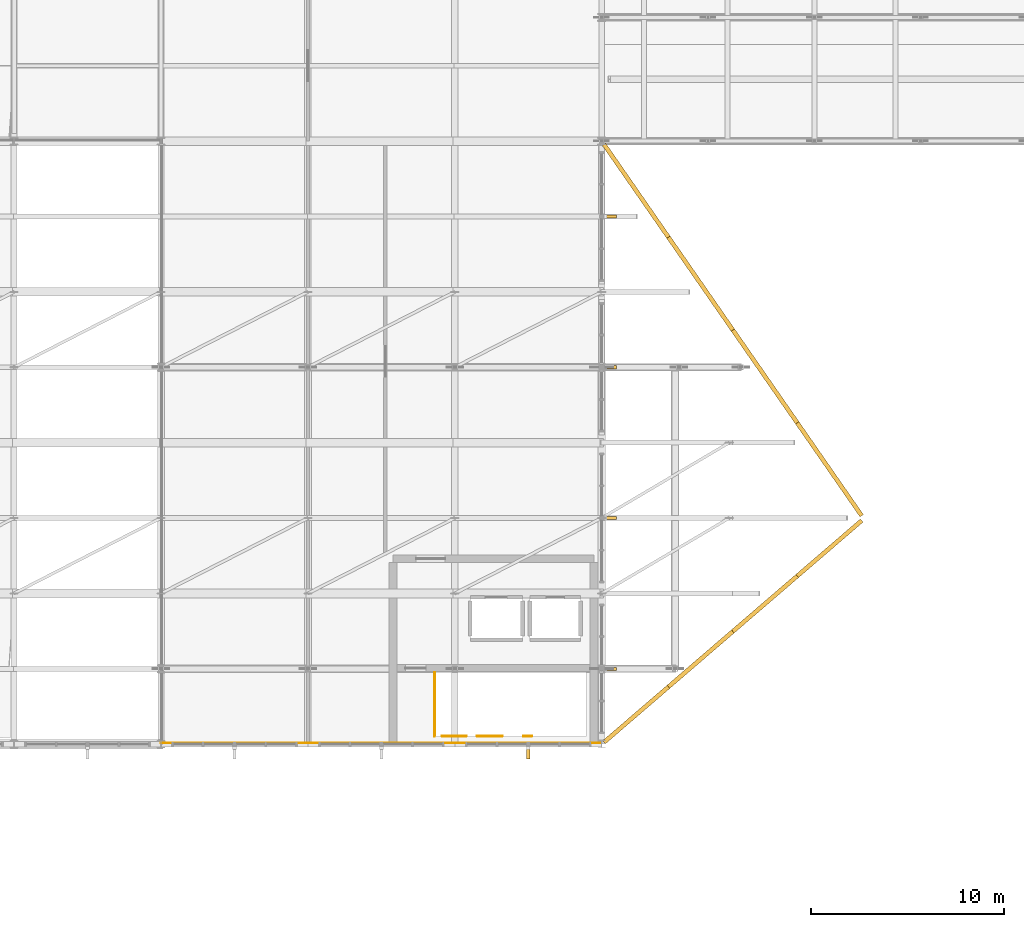
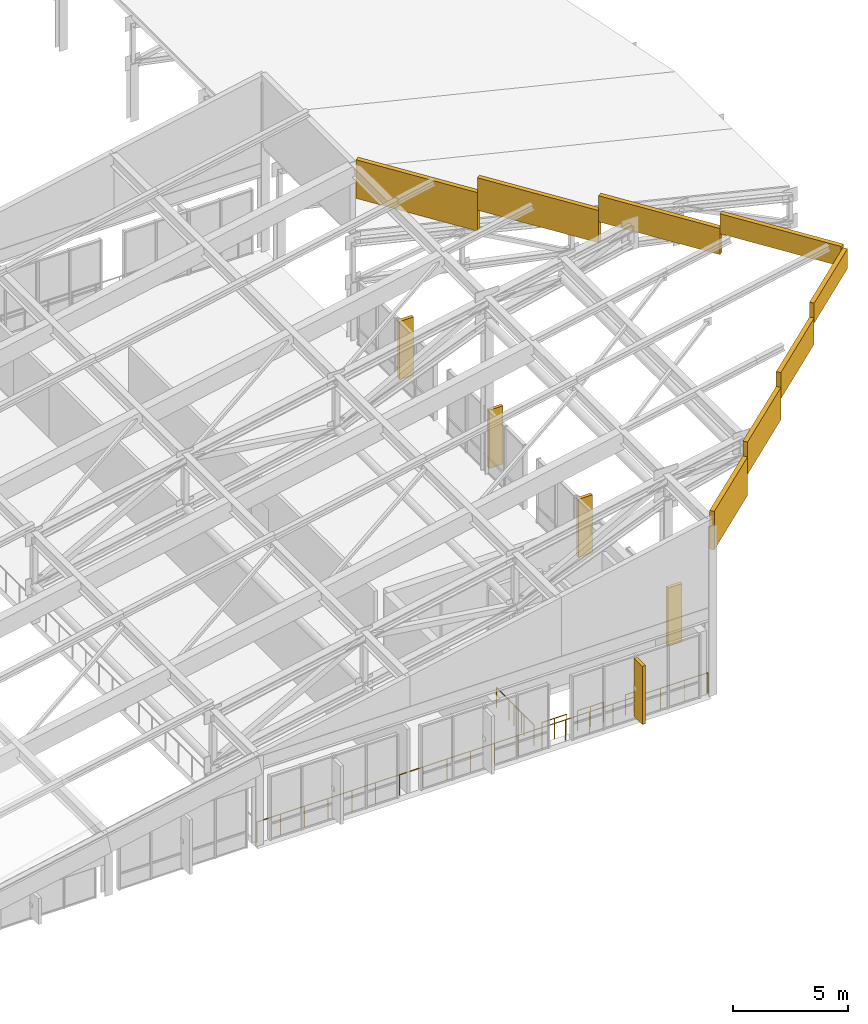
# One storey, part 72 of 73: 8 coverings, 6 railings, 5 shading devices.
"""IFC4 building model written with IfcOpenShell, lengths in metres."""

from ifc_helpers import new_model, si_unit, direction, frame, origin, origin_2d, place, context, subcontext, project, spatial, polyline, rectangle, circle, outline, extrude, material, layer, layer_set, type_object, element, save


model = new_model("IFC4")

# Units and contexts
model_context = context("Model", 3, precision=1e-05, world=origin(), true_north=direction((0.0, 1.0)))
body_context = subcontext(model_context, "Body", "Model", "MODEL_VIEW")
ifc_project = project(units=[si_unit("LENGTHUNIT", "METRE"), si_unit("AREAUNIT", "SQUARE_METRE"), si_unit("VOLUMEUNIT", "CUBIC_METRE"), si_unit("PLANEANGLEUNIT", "RADIAN"), si_unit("MASSUNIT", "GRAM", prefix="KILO")], contexts=[model_context])

# Site, building, storey
site_placement = place(None, origin())
site = spatial("IfcSite", under=ifc_project, at=site_placement, CompositionType="ELEMENT")
building_placement = place(site_placement, origin())
building = spatial("IfcBuilding", under=site, at=building_placement, Name="Vervanel Yard Central Library", CompositionType="ELEMENT")
storey_placement = place(building_placement, frame((0.0, 0.0, 12.780029296875)))
storey = spatial("IfcBuildingStorey", under=building, at=storey_placement, Name="L03", CompositionType="ELEMENT", Elevation=12.780029296875)

# Coverings
ifc_material_1 = material(Name="Precast concrete C45/55", Category="concrete")
ifc_layer = layer(ifc_material_1, 0.0849609375, Category="concrete")
ifc_layer_set = layer_set([ifc_layer], Name="Precast concrete C45/55")
covering_type = type_object("IfcCoveringType", Name="Bush-Hammered Precast Architectural Cladding Panel", PredefinedType="CLADDING", material=ifc_layer_set)
covering_1_placement = place(storey_placement, frame((0.0, 0.0, 7.545166015625)))
element("IfcCovering", 1, at=covering_1_placement, inside=storey, type_object=covering_type, Name="L03 Prow Tapered Edge Fascia Cladding S-1", PredefinedType="CLADDING", context=body_context, shape_type="SweptSolid", body=[
    extrude(outline(polyline([(146.191650390625, 43.216552734375), (149.524169921875, 46.083984375), (149.380859375, 46.2509765625), (146.04833984375, 43.38330078125), (146.191650390625, 43.216552734375)])), origin(), (0.0, 0.0, 1.0), 2.050048828125),
])
covering_2_placement = place(storey_placement, frame((0.0, 0.0, 8.6640625)))
element("IfcCovering", 2, at=covering_2_placement, inside=storey, type_object=covering_type, Name="L03 Prow Tapered Edge Fascia Cladding S-2", PredefinedType="CLADDING", context=body_context, shape_type="SweptSolid", body=[
    extrude(outline(polyline([(149.524169921875, 46.083984375), (152.856689453125, 48.95166015625), (152.71337890625, 49.118408203125), (149.380859375, 46.2509765625), (149.524169921875, 46.083984375)])), origin(), (0.0, 0.0, 1.0), 1.71923828125),
])
covering_3_placement = place(storey_placement, frame((0.0, 0.0, 9.782470703125)))
element("IfcCovering", 3, at=covering_3_placement, inside=storey, type_object=covering_type, Name="L03 Prow Tapered Edge Fascia Cladding S-3", PredefinedType="CLADDING", context=body_context, shape_type="SweptSolid", body=[
    extrude(outline(polyline([(152.856689453125, 48.95166015625), (156.189208984375, 51.819091796875), (156.0458984375, 51.98583984375), (152.71337890625, 49.118408203125), (152.856689453125, 48.95166015625)])), origin(), (0.0, 0.0, 1.0), 1.388916015625),
])
covering_4_placement = place(storey_placement, frame((0.0, 0.0, 10.9013671875)))
element("IfcCovering", 4, at=covering_4_placement, inside=storey, type_object=covering_type, Name="L03 Prow Tapered Edge Fascia Cladding S-4", PredefinedType="CLADDING", context=body_context, shape_type="SweptSolid", body=[
    extrude(outline(polyline([(156.189208984375, 51.819091796875), (159.521728515625, 54.6865234375), (159.37841796875, 54.853515625), (156.0458984375, 51.98583984375), (156.189208984375, 51.819091796875)])), origin(), (0.0, 0.0, 1.0), 1.05810546875),
])
covering_5_placement = place(storey_placement, frame((0.0, 0.0, 7.545166015625)))
element("IfcCovering", 5, at=covering_5_placement, inside=storey, type_object=covering_type, Name="L03 Prow Tapered Edge Fascia Cladding N-1", PredefinedType="CLADDING", context=body_context, shape_type="SweptSolid", body=[
    extrude(outline(polyline([(146.029541015625, 74.167236328125), (149.362060546875, 69.36474609375), (149.54296875, 69.490234375), (146.21044921875, 74.292724609375), (146.029541015625, 74.167236328125)])), origin(), (0.0, 0.0, 1.0), 2.050048828125),
])
covering_6_placement = place(storey_placement, frame((0.0, 0.0, 8.6640625)))
element("IfcCovering", 6, at=covering_6_placement, inside=storey, type_object=covering_type, Name="L03 Prow Tapered Edge Fascia Cladding N-2", PredefinedType="CLADDING", context=body_context, shape_type="SweptSolid", body=[
    extrude(outline(polyline([(149.362060546875, 69.36474609375), (152.694580078125, 64.562255859375), (152.87548828125, 64.687744140625), (149.54296875, 69.490234375), (149.362060546875, 69.36474609375)])), origin(), (0.0, 0.0, 1.0), 1.71923828125),
])
covering_7_placement = place(storey_placement, frame((0.0, 0.0, 9.782470703125)))
element("IfcCovering", 7, at=covering_7_placement, inside=storey, type_object=covering_type, Name="L03 Prow Tapered Edge Fascia Cladding N-3", PredefinedType="CLADDING", context=body_context, shape_type="SweptSolid", body=[
    extrude(outline(polyline([(152.694580078125, 64.562255859375), (156.027099609375, 59.759765625), (156.2080078125, 59.88525390625), (152.87548828125, 64.687744140625), (152.694580078125, 64.562255859375)])), origin(), (0.0, 0.0, 1.0), 1.388916015625),
])
covering_8_placement = place(storey_placement, frame((0.0, 0.0, 10.9013671875)))
element("IfcCovering", 8, at=covering_8_placement, inside=storey, type_object=covering_type, Name="L03 Prow Tapered Edge Fascia Cladding N-4", PredefinedType="CLADDING", context=body_context, shape_type="SweptSolid", body=[
    extrude(outline(polyline([(156.027099609375, 59.759765625), (159.359619140625, 54.957275390625), (159.540283203125, 55.082763671875), (156.2080078125, 59.88525390625), (156.027099609375, 59.759765625)])), origin(), (0.0, 0.0, 1.0), 1.05810546875),
])

# Railings
ifc_material_2 = material(Name="Brushed stainless steel AISI 316", Category="steel")
railing_type_1 = type_object("IfcRailingType", Name="Glazed Atrium & Gallery Balustrade 1120", PredefinedType="BALUSTRADE", material=ifc_material_2)
railing_1_placement = place(storey_placement, frame((123.199951171875, 43.260009765625, 0.0)))
element("IfcRailing", 9, at=railing_1_placement, inside=storey, type_object=railing_type_1, Name="L03 Perimeter Gap Guard V3-L03-S-GAP1", PredefinedType="BALUSTRADE", context=body_context, shape_type="SweptSolid", body=[
    extrude(circle(Radius=0.02392578125, at=origin_2d()), frame((0.0, 0.0, 1.09619140625), z_axis=(1.0, 0.0, 0.0), x_axis=(0.0, 1.0, 0.0)), (0.0, 0.0, 1.0), 22.699951171875),
    extrude(circle(Radius=0.02099609375, at=origin_2d()), origin(), (0.0, 0.0, 1.0), 1.072021484375),
    extrude(circle(Radius=0.02099609375, at=origin_2d()), frame((1.19482421875, 0.0, 0.0)), (0.0, 0.0, 1.0), 1.072021484375),
    extrude(circle(Radius=0.02099609375, at=origin_2d()), frame((2.389404296875, 0.0, 0.0)), (0.0, 0.0, 1.0), 1.072021484375),
    extrude(circle(Radius=0.02099609375, at=origin_2d()), frame((3.584228515625, 0.0, 0.0)), (0.0, 0.0, 1.0), 1.072021484375),
    extrude(circle(Radius=0.02099609375, at=origin_2d()), frame((4.779052734375, 0.0, 0.0)), (0.0, 0.0, 1.0), 1.072021484375),
    extrude(circle(Radius=0.02099609375, at=origin_2d()), frame((5.9736328125, 0.0, 0.0)), (0.0, 0.0, 1.0), 1.072021484375),
    extrude(circle(Radius=0.02099609375, at=origin_2d()), frame((7.16845703125, 0.0, 0.0)), (0.0, 0.0, 1.0), 1.072021484375),
    extrude(circle(Radius=0.02099609375, at=origin_2d()), frame((8.363037109375, 0.0, 0.0)), (0.0, 0.0, 1.0), 1.072021484375),
    extrude(circle(Radius=0.02099609375, at=origin_2d()), frame((9.557861328125, 0.0, 0.0)), (0.0, 0.0, 1.0), 1.072021484375),
    extrude(circle(Radius=0.02099609375, at=origin_2d()), frame((10.752685546875, 0.0, 0.0)), (0.0, 0.0, 1.0), 1.072021484375),
    extrude(circle(Radius=0.02099609375, at=origin_2d()), frame((11.947265625, 0.0, 0.0)), (0.0, 0.0, 1.0), 1.072021484375),
    extrude(circle(Radius=0.02099609375, at=origin_2d()), frame((13.14208984375, 0.0, 0.0)), (0.0, 0.0, 1.0), 1.072021484375),
    extrude(circle(Radius=0.02099609375, at=origin_2d()), frame((14.3369140625, 0.0, 0.0)), (0.0, 0.0, 1.0), 1.072021484375),
    extrude(circle(Radius=0.02099609375, at=origin_2d()), frame((15.531494140625, 0.0, 0.0)), (0.0, 0.0, 1.0), 1.072021484375),
    extrude(circle(Radius=0.02099609375, at=origin_2d()), frame((16.726318359375, 0.0, 0.0)), (0.0, 0.0, 1.0), 1.072021484375),
    extrude(circle(Radius=0.02099609375, at=origin_2d()), frame((17.9208984375, 0.0, 0.0)), (0.0, 0.0, 1.0), 1.072021484375),
    extrude(circle(Radius=0.02099609375, at=origin_2d()), frame((19.11572265625, 0.0, 0.0)), (0.0, 0.0, 1.0), 1.072021484375),
    extrude(circle(Radius=0.02099609375, at=origin_2d()), frame((20.310546875, 0.0, 0.0)), (0.0, 0.0, 1.0), 1.072021484375),
    extrude(circle(Radius=0.02099609375, at=origin_2d()), frame((21.505126953125, 0.0, 0.0)), (0.0, 0.0, 1.0), 1.072021484375),
    extrude(circle(Radius=0.02099609375, at=origin_2d()), frame((22.699951171875, 0.0, 0.0)), (0.0, 0.0, 1.0), 1.072021484375),
])
ifc_material_3 = material(Name="Galvanized painted steelwork ASTM A500 Grade C", Category="steel")
railing_type_2 = type_object("IfcRailingType", Name="Painted Steel Guardrail 1100", PredefinedType="GUARDRAIL", material=ifc_material_3)
railing_2_placement = place(storey_placement, frame((137.35009765625, 43.60009765625, 0.0)))
element("IfcRailing", 10, at=railing_2_placement, inside=storey, type_object=railing_type_2, Name="L03 ST-05 top well guard 1", PredefinedType="GUARDRAIL", context=body_context, shape_type="SweptSolid", body=[
    extrude(circle(Radius=0.02392578125, at=origin_2d()), frame((0.0, 0.0, 1.076171875), z_axis=(0.0, 1.0, 0.0), x_axis=(-1.0, 0.0, 0.0)), (0.0, 0.0, 1.0), 1.760009765625),
    extrude(circle(Radius=0.02099609375, at=origin_2d()), origin(), (0.0, 0.0, 1.0), 1.052001953125),
    extrude(circle(Radius=0.02099609375, at=origin_2d()), frame((0.0, 0.8798828125, 0.0)), (0.0, 0.0, 1.0), 1.052001953125),
    extrude(circle(Radius=0.02099609375, at=origin_2d()), frame((0.0, 1.760009765625, 0.0)), (0.0, 0.0, 1.0), 1.052001953125),
])
railing_3_placement = place(storey_placement, frame((137.360107421875, 43.64990234375, 0.0)))
element("IfcRailing", 11, at=railing_3_placement, inside=storey, type_object=railing_type_2, Name="L03 CORE-E Top Stair Well Guard", PredefinedType="GUARDRAIL", context=body_context, shape_type="SweptSolid", body=[
    extrude(circle(Radius=0.02392578125, at=origin_2d()), frame((0.0, 0.0, 1.076171875), z_axis=(0.0, 1.0, 0.0), x_axis=(-1.0, 0.0, 0.0)), (0.0, 0.0, 1.0), 3.260009765625),
    extrude(circle(Radius=0.02099609375, at=origin_2d()), origin(), (0.0, 0.0, 1.0), 1.052001953125),
    extrude(circle(Radius=0.02099609375, at=origin_2d()), frame((0.0, 1.086669921875, 0.0)), (0.0, 0.0, 1.0), 1.052001953125),
    extrude(circle(Radius=0.02099609375, at=origin_2d()), frame((0.0, 2.17333984375, 0.0)), (0.0, 0.0, 1.0), 1.052001953125),
    extrude(circle(Radius=0.02099609375, at=origin_2d()), frame((0.0, 3.260009765625, 0.0)), (0.0, 0.0, 1.0), 1.052001953125),
])
railing_4_placement = place(storey_placement, frame((137.75, 43.6201171875, 0.0)))
element("IfcRailing", 12, at=railing_4_placement, inside=storey, type_object=railing_type_2, Name="L03 CORE-E Top Stair South Well Guard 1", PredefinedType="GUARDRAIL", context=body_context, shape_type="SweptSolid", body=[
    extrude(circle(Radius=0.02392578125, at=origin_2d()), frame((0.0, 0.0, 1.076171875), z_axis=(1.0, 0.0, 0.0), x_axis=(0.0, 1.0, 0.0)), (0.0, 0.0, 1.0), 1.25),
    extrude(circle(Radius=0.02099609375, at=origin_2d()), origin(), (0.0, 0.0, 1.0), 1.052001953125),
    extrude(circle(Radius=0.02099609375, at=origin_2d()), frame((0.625, 0.0, 0.0)), (0.0, 0.0, 1.0), 1.052001953125),
    extrude(circle(Radius=0.02099609375, at=origin_2d()), frame((1.25, 0.0, 0.0)), (0.0, 0.0, 1.0), 1.052001953125),
])
railing_5_placement = place(storey_placement, frame((141.949951171875, 43.6201171875, 0.0)))
element("IfcRailing", 13, at=railing_5_placement, inside=storey, type_object=railing_type_2, Name="L03 CORE-E Top Stair South Well Guard 2", PredefinedType="GUARDRAIL", context=body_context, shape_type="SweptSolid", body=[
    extrude(circle(Radius=0.02392578125, at=origin_2d()), frame((0.0, 0.0, 1.076171875), z_axis=(1.0, 0.0, 0.0), x_axis=(0.0, 1.0, 0.0)), (0.0, 0.0, 1.0), 0.429931640625),
    extrude(circle(Radius=0.02099609375, at=origin_2d()), origin(), (0.0, 0.0, 1.0), 1.052001953125),
    extrude(circle(Radius=0.02099609375, at=origin_2d()), frame((0.429931640625, 0.0, 0.0)), (0.0, 0.0, 1.0), 1.052001953125),
])
railing_6_placement = place(storey_placement, frame((139.550048828125, 43.6201171875, 0.0)))
element("IfcRailing", 14, at=railing_6_placement, inside=storey, type_object=railing_type_2, Name="L03 CORE-E Top Stair South Well Guard", PredefinedType="GUARDRAIL", context=body_context, shape_type="SweptSolid", body=[
    extrude(circle(Radius=0.02392578125, at=origin_2d()), frame((0.0, 0.0, 1.076171875), z_axis=(1.0, 0.0, 0.0), x_axis=(0.0, 1.0, 0.0)), (0.0, 0.0, 1.0), 1.300048828125),
    extrude(circle(Radius=0.02099609375, at=origin_2d()), origin(), (0.0, 0.0, 1.0), 1.052001953125),
    extrude(circle(Radius=0.02099609375, at=origin_2d()), frame((0.64990234375, 0.0, 0.0)), (0.0, 0.0, 1.0), 1.052001953125),
    extrude(circle(Radius=0.02099609375, at=origin_2d()), frame((1.300048828125, 0.0, 0.0)), (0.0, 0.0, 1.0), 1.052001953125),
])

# Shading devices
shading_device_type = type_object("IfcShadingDeviceType", Name="Vertical Precast Solar Fin 160x720x3200", PredefinedType="JALOUSIE", material=ifc_material_1)
for number, where, z_axis, x_axis, name in (
    (15, (142.199951171875, 42.7900390625, 0.14990234375), (0.0, 0.0, 1.0), (1.0, 0.0, 0.0), "L03 Precast Solar Fin 465"),
    (16, (146.409912109375, 47.10009765625, 0.14990234375), (0.0, 0.0, 1.0), (0.0, 1.0, 0.0), "L03 Precast Solar Fin 495"),
    (17, (146.409912109375, 54.89990234375, 0.14990234375), (0.0, 0.0, 1.0), (0.0, 1.0, 0.0), "L03 Precast Solar Fin 496"),
    (18, (146.409912109375, 62.699951171875, 0.14990234375), (0.0, 0.0, 1.0), (0.0, 1.0, 0.0), "L03 Precast Solar Fin 497"),
    (19, (146.409912109375, 70.5, 0.14990234375), (0.0, 0.0, 1.0), (0.0, 1.0, 0.0), "L03 Precast Solar Fin 498"),
):
    element("IfcShadingDevice", number, at=place(storey_placement, frame(where, z_axis=z_axis, x_axis=x_axis)), inside=storey, type_object=shading_device_type, Name=name, PredefinedType="JALOUSIE", context=body_context, shape_type="SweptSolid", body=[
        extrude(rectangle(XDim=0.159912109375, YDim=0.719970703125, at=origin_2d()), origin(), (0.0, 0.0, 1.0), 3.10009765625),
    ])

save(model, "model.ifc")
